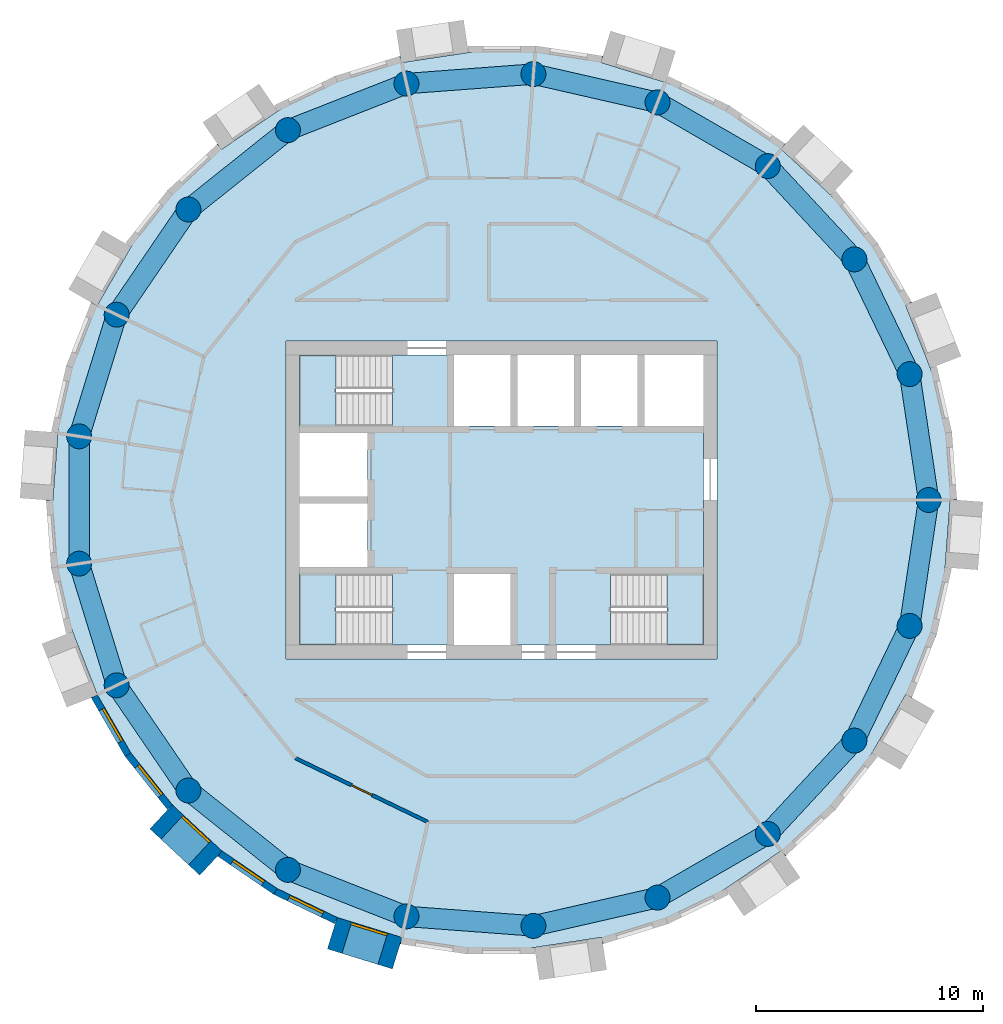
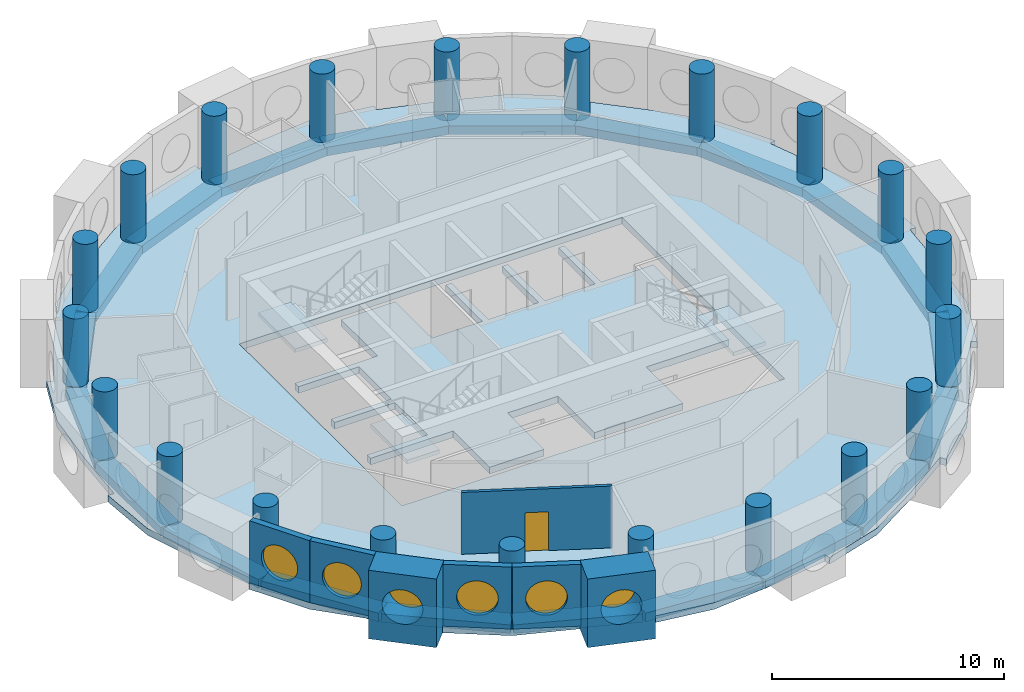
# One storey, part 1 of 12: 21 beams, 21 columns, 7 walls, 6 windows, 5 slabs, 1 door, 7 openings, 3 elements without a shape of their own.
"""IFC4 building model written with IfcOpenShell, lengths in metres."""

from ifc_helpers import new_model, si_unit, direction, frame, frame_2d, origin, origin_2d, place, context, subcontext, project, spatial, polyline, rectangle, circle, outline, extrude, material, layer, layer_set, material_profile, profile_set, type_object, element, fill, aggregate, save


model = new_model("IFC4")

# Units and contexts
model_context = context("Model", 3, precision=1e-05, world=origin(), true_north=direction((0.0, 1.0)))
body_context = subcontext(model_context, "Body", "Model", "MODEL_VIEW")
ifc_project = project(units=[si_unit("LENGTHUNIT", "METRE"), si_unit("AREAUNIT", "SQUARE_METRE"), si_unit("VOLUMEUNIT", "CUBIC_METRE"), si_unit("PLANEANGLEUNIT", "RADIAN"), si_unit("MASSUNIT", "GRAM", prefix="KILO")], contexts=[model_context])

# Site, building, storey
site_placement = place(None, origin())
site = spatial("IfcSite", under=ifc_project, at=site_placement, CompositionType="ELEMENT")
building_placement = place(site_placement, origin())
building = spatial("IfcBuilding", under=site, at=building_placement, Name="Tracery Tower", CompositionType="ELEMENT")
storey_placement = place(building_placement, frame((0.0, 0.0, 241.800048828125)))
storey = spatial("IfcBuildingStorey", under=building, at=storey_placement, Name="L62", CompositionType="ELEMENT", Elevation=241.800048828125)

# Columns
ifc_material_1 = material(Name="Concrete C40/50", Category="concrete")
ifc_material_profile_1 = material_profile(ifc_material_1, circle(Radius=0.550048828125, at=origin_2d()), Name="RC D1100")
ifc_profile_set_1 = profile_set([ifc_material_profile_1], Name="Concrete C40/50")
column_type = type_object("IfcColumnType", Name="Ring 2 column 1100", PredefinedType="COLUMN", material=ifc_profile_set_1)
for number, where, z_axis, x_axis, name in (
    (1, (18.822265625, 0.0, 0.0), (0.0, 0.0, 1.0), (1.0, 0.0, 0.0), "Ring 2 column 00 at L62"),
    (2, (17.986083984375, 5.5478515625, 0.0), (0.0, 0.0, 1.0), (1.0, 0.0, 0.0), "Ring 2 column 01 at L62"),
    (3, (15.551513671875, 10.602783203125, 0.0), (0.0, 0.0, 1.0), (1.0, 0.0, 0.0), "Ring 2 column 02 at L62"),
    (4, (11.7353515625, 14.7158203125, 0.0), (0.0, 0.0, 1.0), (1.0, 0.0, 0.0), "Ring 2 column 03 at L62"),
    (5, (6.87646484375, 17.52099609375, 0.0), (0.0, 0.0, 1.0), (1.0, 0.0, 0.0), "Ring 2 column 04 at L62"),
    (6, (1.406494140625, 18.76953125, 0.0), (0.0, 0.0, 1.0), (1.0, 0.0, 0.0), "Ring 2 column 05 at L62"),
    (7, (-4.188232421875, 18.350341796875, 0.0), (0.0, 0.0, 1.0), (1.0, 0.0, 0.0), "Ring 2 column 06 at L62"),
    (8, (-9.4111328125, 16.300537109375, 0.0), (0.0, 0.0, 1.0), (1.0, 0.0, 0.0), "Ring 2 column 07 at L62"),
    (9, (-13.797607421875, 12.802490234375, 0.0), (0.0, 0.0, 1.0), (1.0, 0.0, 0.0), "Ring 2 column 08 at L62"),
    (10, (-16.958251953125, 8.16650390625, 0.0), (0.0, 0.0, 1.0), (1.0, 0.0, 0.0), "Ring 2 column 09 at L62"),
    (11, (-18.612060546875, 2.805419921875, 0.0), (0.0, 0.0, 1.0), (1.0, 0.0, 0.0), "Ring 2 column 10 at L62"),
    (12, (-18.612060546875, -2.805419921875, 0.0), (0.0, 0.0, 1.0), (1.0, 0.0, 0.0), "Ring 2 column 11 at L62"),
    (13, (-16.958251953125, -8.166748046875, 0.0), (0.0, 0.0, 1.0), (1.0, 0.0, 0.0), "Ring 2 column 12 at L62"),
    (14, (-13.797607421875, -12.80224609375, 0.0), (0.0, 0.0, 1.0), (1.0, 0.0, 0.0), "Ring 2 column 13 at L62"),
    (15, (-9.4111328125, -16.300537109375, 0.0), (0.0, 0.0, 1.0), (1.0, 0.0, 0.0), "Ring 2 column 14 at L62"),
    (16, (-4.188232421875, -18.350341796875, 0.0), (0.0, 0.0, 1.0), (1.0, 0.0, 0.0), "Ring 2 column 15 at L62"),
    (17, (1.406494140625, -18.76953125, 0.0), (0.0, 0.0, 1.0), (1.0, 0.0, 0.0), "Ring 2 column 16 at L62"),
    (18, (6.87646484375, -17.52099609375, 0.0), (0.0, 0.0, 1.0), (1.0, 0.0, 0.0), "Ring 2 column 17 at L62"),
    (19, (11.7353515625, -14.7158203125, 0.0), (0.0, 0.0, 1.0), (1.0, 0.0, 0.0), "Ring 2 column 18 at L62"),
    (20, (15.551513671875, -10.602783203125, 0.0), (0.0, 0.0, 1.0), (1.0, 0.0, 0.0), "Ring 2 column 19 at L62"),
    (21, (17.986083984375, -5.5478515625, 0.0), (0.0, 0.0, 1.0), (1.0, 0.0, 0.0), "Ring 2 column 20 at L62"),
):
    element("IfcColumn", number, at=place(storey_placement, frame(where, z_axis=z_axis, x_axis=x_axis)), inside=storey, type_object=column_type, Name=name, PredefinedType="COLUMN", context=body_context, shape_type="SweptSolid", body=[
        extrude(circle(Radius=0.550048828125, at=origin_2d()), origin(), (0.0, 0.0, 1.0), 3.599853515625),
    ])

# Beams
ifc_material_2 = material(Name="Concrete C40/50", Category="concrete")
ifc_material_profile_2 = material_profile(ifc_material_2, rectangle(XDim=0.89990234375, YDim=0.449951171875, at=origin_2d()), Name="RC 900x450")
ifc_profile_set_2 = profile_set([ifc_material_profile_2], Name="Concrete C40/50")
beam_type = type_object("IfcBeamType", Name="Perimeter band beam 900x450", PredefinedType="BEAM", material=ifc_profile_set_2)
for number, where, z_axis, x_axis, name in (
    (22, (18.822265625, 0.0, -0.574951171875), (-0.149038355855, 0.988831415603, 0.0), (-0.988831415603, -0.149038355855, 0.0), "Perimeter beam 2.00 under L62"),
    (23, (17.986083984375, 5.5478515625, -0.574951171875), (-0.433918973155, 0.900951899235, 0.0), (-0.900951899235, -0.433918973155, 0.0), "Perimeter beam 2.01 under L62"),
):
    element("IfcBeam", number, at=place(storey_placement, frame(where, z_axis=z_axis, x_axis=x_axis)), inside=storey, type_object=beam_type, Name=name, PredefinedType="BEAM", context=body_context, shape_type="SweptSolid", body=[
        extrude(rectangle(XDim=0.89990234375, YDim=0.449951171875, at=origin_2d()), origin(), (0.0, 0.0, 1.0), 5.610595703125),
    ])
beam_1_placement = place(storey_placement, frame((15.551513671875, 10.602783203125, -0.574951171875), z_axis=(-0.680155630824, 0.733067744386, 0.0), x_axis=(-0.733067744386, -0.680155630824, 0.0)))
element("IfcBeam", 24, at=beam_1_placement, inside=storey, type_object=beam_type, Name="Perimeter beam 2.02 under L62", PredefinedType="BEAM", context=body_context, shape_type="SweptSolid", body=[
    extrude(rectangle(XDim=0.89990234375, YDim=0.449951171875, at=origin_2d()), origin(), (0.0, 0.0, 1.0), 5.61083984375),
])
for number, where, z_axis, x_axis, name in (
    (25, (11.7353515625, 14.7158203125, -0.574951171875), (-0.866033412818, 0.49998612769, 0.0), (-0.49998612769, -0.866033412818, 0.0), "Perimeter beam 2.03 under L62"),
    (26, (6.87646484375, 17.52099609375, -0.574951171875), (-0.974925977366, 0.222529410768, 0.0), (-0.222529410768, -0.974925977366, 0.0), "Perimeter beam 2.04 under L62"),
):
    element("IfcBeam", number, at=place(storey_placement, frame(where, z_axis=z_axis, x_axis=x_axis)), inside=storey, type_object=beam_type, Name=name, PredefinedType="BEAM", context=body_context, shape_type="SweptSolid", body=[
        extrude(rectangle(XDim=0.89990234375, YDim=0.449951171875, at=origin_2d()), origin(), (0.0, 0.0, 1.0), 5.610595703125),
    ])
beam_2_placement = place(storey_placement, frame((1.406494140625, 18.76953125, -0.574951171875), z_axis=(-0.997204824387, -0.07471638521, 0.0), x_axis=(0.07471638521, -0.997204824387, 0.0)))
element("IfcBeam", 27, at=beam_2_placement, inside=storey, type_object=beam_type, Name="Perimeter beam 2.05 under L62", PredefinedType="BEAM", context=body_context, shape_type="SweptSolid", body=[
    extrude(rectangle(XDim=0.89990234375, YDim=0.449951171875, at=origin_2d()), origin(), (0.0, 0.0, 1.0), 5.6103515625),
])
beam_3_placement = place(storey_placement, frame((-4.188232421875, 18.350341796875, -0.574951171875), z_axis=(-0.930875728468, -0.365335979817, 0.0), x_axis=(0.365335979817, -0.930875728468, 0.0)))
element("IfcBeam", 28, at=beam_3_placement, inside=storey, type_object=beam_type, Name="Perimeter beam 2.06 under L62", PredefinedType="BEAM", context=body_context, shape_type="SweptSolid", body=[
    extrude(rectangle(XDim=0.89990234375, YDim=0.449951171875, at=origin_2d()), origin(), (0.0, 0.0, 1.0), 5.61083984375),
])
beam_4_placement = place(storey_placement, frame((-9.4111328125, 16.300537109375, -0.574951171875), z_axis=(-0.781835817725, -0.623484365579, 0.0), x_axis=(0.623484365579, -0.781835817725, 0.0)))
element("IfcBeam", 29, at=beam_4_placement, inside=storey, type_object=beam_type, Name="Perimeter beam 2.07 under L62", PredefinedType="BEAM", context=body_context, shape_type="SweptSolid", body=[
    extrude(rectangle(XDim=0.89990234375, YDim=0.449951171875, at=origin_2d()), origin(), (0.0, 0.0, 1.0), 5.610595703125),
])
beam_5_placement = place(storey_placement, frame((-13.797607421875, 12.802490234375, -0.574951171875), z_axis=(-0.563305770578, -0.826248515178, 0.0), x_axis=(0.826248515178, -0.563305770578, 0.0)))
element("IfcBeam", 30, at=beam_5_placement, inside=storey, type_object=beam_type, Name="Perimeter beam 2.08 under L62", PredefinedType="BEAM", context=body_context, shape_type="SweptSolid", body=[
    extrude(rectangle(XDim=0.89990234375, YDim=0.449951171875, at=origin_2d()), origin(), (0.0, 0.0, 1.0), 5.61083984375),
])
beam_6_placement = place(storey_placement, frame((-16.958251953125, 8.16650390625, -0.574951171875), z_axis=(-0.294776851839, -0.955566118916, 0.0), x_axis=(0.955566118916, -0.294776851839, 0.0)))
element("IfcBeam", 31, at=beam_6_placement, inside=storey, type_object=beam_type, Name="Perimeter beam 2.09 under L62", PredefinedType="BEAM", context=body_context, shape_type="SweptSolid", body=[
    extrude(rectangle(XDim=0.89990234375, YDim=0.449951171875, at=origin_2d()), origin(), (0.0, 0.0, 1.0), 5.6103515625),
])
beam_7_placement = place(storey_placement, frame((-18.612060546875, 2.805419921875, -0.574951171875), z_axis=(0.0, -1.0, 0.0), x_axis=(1.0, 0.0, 0.0)))
element("IfcBeam", 32, at=beam_7_placement, inside=storey, type_object=beam_type, Name="Perimeter beam 2.10 under L62", PredefinedType="BEAM", context=body_context, shape_type="SweptSolid", body=[
    extrude(rectangle(XDim=0.89990234375, YDim=0.449951171875, at=origin_2d()), origin(), (0.0, 0.0, 1.0), 5.61083984375),
])
for number, where, z_axis, x_axis, name in (
    (33, (-18.612060546875, -2.805419921875, -0.574951171875), (0.294764594813, -0.955569899926, 0.0), (0.955569899926, 0.294764594813, 0.0), "Perimeter beam 2.11 under L62"),
    (34, (-16.958251953125, -8.166748046875, -0.574951171875), (0.5633462764, -0.826220898348, 0.0), (0.826220898348, 0.5633462764, 0.0), "Perimeter beam 2.12 under L62"),
    (35, (-13.797607421875, -12.80224609375, -0.574951171875), (0.781814605872, -0.623510963853, 0.0), (0.623510963853, 0.781814605872, 0.0), "Perimeter beam 2.13 under L62"),
):
    element("IfcBeam", number, at=place(storey_placement, frame(where, z_axis=z_axis, x_axis=x_axis)), inside=storey, type_object=beam_type, Name=name, PredefinedType="BEAM", context=body_context, shape_type="SweptSolid", body=[
        extrude(rectangle(XDim=0.89990234375, YDim=0.449951171875, at=origin_2d()), origin(), (0.0, 0.0, 1.0), 5.610595703125),
    ])
beam_8_placement = place(storey_placement, frame((-9.4111328125, -16.300537109375, -0.574951171875), z_axis=(0.930875728468, -0.365335979817, 0.0), x_axis=(0.365335979817, 0.930875728468, 0.0)))
element("IfcBeam", 36, at=beam_8_placement, inside=storey, type_object=beam_type, Name="Perimeter beam 2.14 under L62", PredefinedType="BEAM", context=body_context, shape_type="SweptSolid", body=[
    extrude(rectangle(XDim=0.89990234375, YDim=0.449951171875, at=origin_2d()), origin(), (0.0, 0.0, 1.0), 5.61083984375),
])
beam_9_placement = place(storey_placement, frame((-4.188232421875, -18.350341796875, -0.574951171875), z_axis=(0.997204824387, -0.07471638521, 0.0), x_axis=(0.07471638521, 0.997204824387, 0.0)))
element("IfcBeam", 37, at=beam_9_placement, inside=storey, type_object=beam_type, Name="Perimeter beam 2.15 under L62", PredefinedType="BEAM", context=body_context, shape_type="SweptSolid", body=[
    extrude(rectangle(XDim=0.89990234375, YDim=0.449951171875, at=origin_2d()), origin(), (0.0, 0.0, 1.0), 5.6103515625),
])
for number, where, z_axis, x_axis, name in (
    (38, (1.406494140625, -18.76953125, -0.574951171875), (0.974925977366, 0.222529410768, 0.0), (-0.222529410768, 0.974925977366, 0.0), "Perimeter beam 2.16 under L62"),
    (39, (6.87646484375, -17.52099609375, -0.574951171875), (0.866033412818, 0.49998612769, 0.0), (-0.49998612769, 0.866033412818, 0.0), "Perimeter beam 2.17 under L62"),
):
    element("IfcBeam", number, at=place(storey_placement, frame(where, z_axis=z_axis, x_axis=x_axis)), inside=storey, type_object=beam_type, Name=name, PredefinedType="BEAM", context=body_context, shape_type="SweptSolid", body=[
        extrude(rectangle(XDim=0.89990234375, YDim=0.449951171875, at=origin_2d()), origin(), (0.0, 0.0, 1.0), 5.610595703125),
    ])
beam_10_placement = place(storey_placement, frame((11.7353515625, -14.7158203125, -0.574951171875), z_axis=(0.680155630824, 0.733067744386, 0.0), x_axis=(-0.733067744386, 0.680155630824, 0.0)))
element("IfcBeam", 40, at=beam_10_placement, inside=storey, type_object=beam_type, Name="Perimeter beam 2.18 under L62", PredefinedType="BEAM", context=body_context, shape_type="SweptSolid", body=[
    extrude(rectangle(XDim=0.89990234375, YDim=0.449951171875, at=origin_2d()), origin(), (0.0, 0.0, 1.0), 5.61083984375),
])
for number, where, z_axis, x_axis, name in (
    (41, (15.551513671875, -10.602783203125, -0.574951171875), (0.433918973155, 0.900951899235, 0.0), (-0.900951899235, 0.433918973155, 0.0), "Perimeter beam 2.19 under L62"),
    (42, (17.986083984375, -5.5478515625, -0.574951171875), (0.149038355855, 0.988831415603, 0.0), (-0.988831415603, 0.149038355855, 0.0), "Perimeter beam 2.20 under L62"),
):
    element("IfcBeam", number, at=place(storey_placement, frame(where, z_axis=z_axis, x_axis=x_axis)), inside=storey, type_object=beam_type, Name=name, PredefinedType="BEAM", context=body_context, shape_type="SweptSolid", body=[
        extrude(rectangle(XDim=0.89990234375, YDim=0.449951171875, at=origin_2d()), origin(), (0.0, 0.0, 1.0), 5.610595703125),
    ])

# Slabs
ifc_material_3 = material(Name="Concrete C40/50", Category="concrete")
ifc_layer_1 = layer(ifc_material_3, 0.35009765625)
ifc_layer_set_1 = layer_set([ifc_layer_1], Name="Core floor slab 350 C40")
slab_type_1 = type_object("IfcSlabType", Name="Core floor slab 350 C40", PredefinedType="FLOOR", material=ifc_layer_set_1)
slab_1_placement = place(storey_placement, frame((0.0, 0.0, -0.35009765625)))
element("IfcSlab", 43, at=slab_1_placement, inside=storey, type_object=slab_type_1, Name="L62 core floor 1", PredefinedType="FLOOR", context=body_context, shape_type="SweptSolid", body=[
    extrude(outline(polyline([(-4.800537109375, -3.25), (-8.89990234375, -3.25), (-8.89990234375, -2.949951171875), (-5.89990234375, -2.949951171875), (-5.89990234375, -0.14990234375), (-8.89990234375, -0.14990234375), (-8.89990234375, 0.14990234375), (-5.89990234375, 0.14990234375), (-5.89990234375, 2.949951171875), (-8.89990234375, 2.949951171875), (-8.89990234375, 3.25), (-4.800537109375, 3.25), (-4.800537109375, 6.39990234375), (-2.10009765625, 6.39990234375), (-2.10009765625, 3.25), (0.39990234375, 3.25), (0.39990234375, 6.39990234375), (0.699951171875, 6.39990234375), (0.699951171875, 3.25), (3.199951171875, 3.25), (3.199951171875, 6.39990234375), (3.5, 6.39990234375), (3.5, 3.25), (6.0, 3.25), (6.0, 6.39990234375), (6.300048828125, 6.39990234375), (6.300048828125, 3.25), (8.89990234375, 3.25), (8.89990234375, -3.25), (4.800537109375, -3.25), (4.800537109375, -6.39990234375), (0.39990234375, -6.39990234375), (0.39990234375, -3.25), (-2.10009765625, -3.25), (-2.10009765625, -6.39990234375), (-4.800537109375, -6.39990234375), (-4.800537109375, -3.25)])), origin(), (0.0, 0.0, 1.0), 0.35009765625),
])
ifc_material_4 = material(Name="Concrete C40/50", Category="concrete")
ifc_layer_2 = layer(ifc_material_4, 0.35009765625)
ifc_layer_set_2 = layer_set([ifc_layer_2], Name="Floor slab 350")
slab_type_2 = type_object("IfcSlabType", Name="Floor slab 350", PredefinedType="FLOOR", material=ifc_layer_set_2)
slab_2_placement = place(storey_placement, frame((0.0, 0.0, -0.35009765625)))
element("IfcSlab", 44, at=slab_2_placement, inside=storey, type_object=slab_type_2, Name="Floor slab L62", PredefinedType="FLOOR", context=body_context, shape_type="SweptSolid", body=[
    extrude(outline(polyline([(18.89306640625, 5.827392578125), (17.80517578125, 8.599365234375), (18.084228515625, 8.708984375), (18.08447265625, 8.708984375), (16.58447265625, 11.30712890625), (14.493408203125, 13.447998046875), (12.3271484375, 15.4580078125), (12.3271484375, 15.4580078125), (12.310791015625, 15.47314453125), (12.5146484375, 15.69287109375), (12.514892578125, 15.693115234375), (10.0361328125, 17.383056640625), (7.223388671875, 18.404541015625), (4.3994140625, 19.275634765625), (4.3994140625, 19.275634765625), (4.378173828125, 19.2822265625), (4.466552734375, 19.56884765625), (1.5, 20.01611328125), (-1.47705078125, 19.716064453125), (-2.3466796875, 19.585205078125), (-4.3994140625, 19.275634765625), (-4.3994140625, 19.275634765625), (-4.421875, 19.272216796875), (-4.46630859375, 19.568603515625), (-4.466552734375, 19.56884765625), (-7.333251953125, 18.684814453125), (-9.885498046875, 17.12255859375), (-12.345703125, 15.4453125), (-12.514892578125, 15.693115234375), (-14.714111328125, 13.652587890625), (-16.335693359375, 11.13818359375), (-17.82470703125, 8.55908203125), (-18.08447265625, 8.708984375), (-19.180419921875, 5.91650390625), (-19.550537109375, 2.94677734375), (-19.63720703125, 1.789306640625), (-19.77294921875, -0.0224609375), (-20.072265625, 0.0), (-20.072265625, 0.0), (-19.847900390625, -2.99169921875), (-18.89306640625, -5.827392578125), (-17.80517578125, -8.599365234375), (-18.084228515625, -8.708984375), (-18.08447265625, -8.708984375), (-16.58447265625, -11.30712890625), (-14.493408203125, -13.447998046875), (-12.3271484375, -15.4580078125), (-12.3271484375, -15.4580078125), (-12.310791015625, -15.47314453125), (-12.5146484375, -15.69287109375), (-12.514892578125, -15.693115234375), (-10.0361328125, -17.383056640625), (-7.223388671875, -18.404541015625), (-4.3994140625, -19.275634765625), (-4.3994140625, -19.275634765625), (-4.378173828125, -19.2822265625), (-4.466552734375, -19.56884765625), (-1.5, -20.01611328125), (1.47705078125, -19.716064453125), (2.3466796875, -19.585205078125), (4.3994140625, -19.275634765625), (4.3994140625, -19.275634765625), (4.421875, -19.272216796875), (4.46630859375, -19.568603515625), (4.466552734375, -19.56884765625), (7.333251953125, -18.684814453125), (9.885498046875, -17.12255859375), (12.345703125, -15.4453125), (12.514892578125, -15.693115234375), (14.714111328125, -13.652587890625), (16.335693359375, -11.13818359375), (17.82470703125, -8.55908203125), (18.08447265625, -8.708984375), (19.180419921875, -5.91650390625), (19.550537109375, -2.94677734375), (19.63720703125, -1.789306640625), (19.77294921875, 0.0224609375), (20.072265625, 0.0), (19.847900390625, 2.99169921875), (18.89306640625, 5.827392578125)]), holes=[polyline([(-9.5, -7.0), (9.5, -7.0), (9.5, 7.0), (-9.5, 7.0), (-9.5, -7.0)])]), origin(), (0.0, 0.0, 1.0), 0.35009765625),
])

# Stair, slab
ifc_material_5 = material(Name="Concrete C32/40", Category="concrete")
stair_type = type_object("IfcStairType", Name="Core stair 22 risers", PredefinedType="HALF_TURN_STAIR", material=ifc_material_5)
stair_1_placement = place(storey_placement, origin())
stair_1 = element("IfcStair", 45, at=stair_1_placement, inside=storey, type_object=stair_type, Name="L62 stair ST1", PredefinedType="HALF_TURN_STAIR")
ifc_material_6 = material(Name="Concrete C32/40", Category="concrete")
ifc_layer_3 = layer(ifc_material_6, 0.199951171875)
ifc_layer_set_3 = layer_set([ifc_layer_3], Name="Stair landing slab 200")
slab_type_3 = type_object("IfcSlabType", Name="Stair landing slab 200", PredefinedType="LANDING", material=ifc_layer_set_3)
slab_3_placement = place(storey_placement, frame((0.0, 0.0, 1.599853515625)))
slab_3 = element("IfcSlab", 46, at=slab_3_placement, type_object=slab_type_3, Name="ST1 landing 1", PredefinedType="LANDING", context=body_context, shape_type="SweptSolid", body=[
    extrude(outline(polyline([(-7.29931640625, -3.25), (-8.89990234375, -3.25), (-8.89990234375, -6.39990234375), (-7.29931640625, -6.39990234375), (-7.29931640625, -3.25)])), origin(), (0.0, 0.0, 1.0), 0.2001953125),
])
aggregate(stair_1, [slab_3])

stair_2_placement = place(storey_placement, origin())
stair_2 = element("IfcStair", 47, at=stair_2_placement, inside=storey, type_object=stair_type, Name="L62 stair ST3", PredefinedType="HALF_TURN_STAIR")
slab_4_placement = place(storey_placement, frame((0.0, 0.0, 1.599853515625)))
slab_4 = element("IfcSlab", 48, at=slab_4_placement, type_object=slab_type_3, Name="ST3 landing 1", PredefinedType="LANDING", context=body_context, shape_type="SweptSolid", body=[
    extrude(outline(polyline([(-7.29931640625, 6.39990234375), (-8.89990234375, 6.39990234375), (-8.89990234375, 3.25), (-7.29931640625, 3.25), (-7.29931640625, 6.39990234375)])), origin(), (0.0, 0.0, 1.0), 0.2001953125),
])
aggregate(stair_2, [slab_4])

stair_3_placement = place(storey_placement, origin())
stair_3 = element("IfcStair", 49, at=stair_3_placement, inside=storey, type_object=stair_type, Name="L62 stair ST2", PredefinedType="HALF_TURN_STAIR")
slab_5_placement = place(storey_placement, frame((0.0, 0.0, 1.599853515625)))
slab_5 = element("IfcSlab", 50, at=slab_5_placement, type_object=slab_type_3, Name="ST2 landing 1", PredefinedType="LANDING", context=body_context, shape_type="SweptSolid", body=[
    extrude(outline(polyline([(7.29931640625, -6.39990234375), (8.89990234375, -6.39990234375), (8.89990234375, -3.25), (7.29931640625, -3.25), (7.29931640625, -6.39990234375)])), origin(), (0.0, 0.0, 1.0), 0.2001953125),
])
aggregate(stair_3, [slab_5])

# Wall, opening, window
ifc_material_7 = material(Name="Precast concrete C50/60", Category="concrete")
ifc_layer_4 = layer(ifc_material_7, 1.449951171875)
ifc_layer_set_4 = layer_set([ifc_layer_4], Name="Deep-set bay unit 3000 x 3600, slab edge 350")
wall_type_1 = type_object("IfcWallType", Name="Deep-set bay unit 3000 x 3600, slab edge 350", PredefinedType="ELEMENTEDWALL", material=ifc_layer_set_4)
wall_1_placement = place(storey_placement, frame((-15.0029296875, -13.964111328125, -0.35009765625), z_axis=(0.0, 0.0, 1.0), x_axis=(0.733022439167, -0.680204457261, 0.0)))
wall_1 = element("IfcWall", 51, at=wall_1_placement, inside=storey, type_object=wall_type_1, Name="Deep-set bay unit 27 at L62", PredefinedType="ELEMENTEDWALL", context=body_context, shape_type="SweptSolid", body=[
    extrude(rectangle(XDim=2.999755859375, YDim=1.449951171875, at=frame_2d((1.5, 0.0))), origin(), (0.0, 0.0, 1.0), 3.60009765625),
])
opening_1_placement = place(wall_1_placement, frame((1.5, 0.0, 1.89990234375)))
opening_1 = element("IfcOpeningElement", 52, at=opening_1_placement, cuts=wall_1, Name="Opening WN1", PredefinedType="OPENING", context=body_context, shape_type="SweptSolid", body=[
    extrude(circle(Radius=0.9000244140625, at=origin_2d()), frame((0.0, 0.73486328125, 0.0), z_axis=(0.0, -1.0, 0.0), x_axis=(1.0, 0.0, 0.0)), (0.0, 0.0, 1.0), 1.469970703125),
])
ifc_material_8 = material(Name="Aluminium frame with tinted double glazing", Category="aluminium")
window_type = type_object("IfcWindowType", Name="Round window 1800", PartitioningType="SINGLE_PANEL", PredefinedType="WINDOW", material=ifc_material_8)
window_1_placement = place(opening_1_placement, origin())
window_1 = element("IfcWindow", 53, at=window_1_placement, inside=storey, type_object=window_type, Name="Round window 27 at L62", OverallHeight=1.800048828125, OverallWidth=1.800048828125, PartitioningType="SINGLE_PANEL", PredefinedType="WINDOW", context=body_context, shape_type="SweptSolid", body=[
    extrude(circle(Radius=0.9000244140625, at=origin_2d()), frame((0.0, 0.69482421875, 0.0), z_axis=(0.0, -1.0, 0.0), x_axis=(1.0, 0.0, 0.0)), (0.0, 0.0, 1.0), 0.10009765625),
])
fill(opening_1, window_1)

wall_2_placement = place(storey_placement, frame((-7.45849609375, -19.0908203125, -0.35009765625), z_axis=(0.0, 0.0, 1.0), x_axis=(0.955571139978, -0.294760574774, 0.0)))
wall_2 = element("IfcWall", 54, at=wall_2_placement, inside=storey, type_object=wall_type_1, Name="Deep-set bay unit 30 at L62", PredefinedType="ELEMENTEDWALL", context=body_context, shape_type="SweptSolid", body=[
    extrude(rectangle(XDim=3.0, YDim=1.449951171875, at=frame_2d((1.5, 0.0))), origin(), (0.0, 0.0, 1.0), 3.60009765625),
])
opening_2_placement = place(wall_2_placement, frame((1.5, 0.0, 1.89990234375)))
opening_2 = element("IfcOpeningElement", 55, at=opening_2_placement, cuts=wall_2, Name="Opening WN1", PredefinedType="OPENING", context=body_context, shape_type="SweptSolid", body=[
    extrude(circle(Radius=0.9000244140625, at=origin_2d()), frame((0.0, 0.73486328125, 0.0), z_axis=(0.0, -1.0, 0.0), x_axis=(1.0, 0.0, 0.0)), (0.0, 0.0, 1.0), 1.469970703125),
])
window_2_placement = place(opening_2_placement, origin())
window_2 = element("IfcWindow", 56, at=window_2_placement, inside=storey, type_object=window_type, Name="Round window 30 at L62", OverallHeight=1.800048828125, OverallWidth=1.800048828125, PartitioningType="SINGLE_PANEL", PredefinedType="WINDOW", context=body_context, shape_type="SweptSolid", body=[
    extrude(circle(Radius=0.9000244140625, at=origin_2d()), frame((0.0, 0.69482421875, 0.0), z_axis=(0.0, -1.0, 0.0), x_axis=(1.0, 0.0, 0.0)), (0.0, 0.0, 1.0), 0.10009765625),
])
fill(opening_2, window_2)

ifc_material_9 = material(Name="Precast concrete C50/60", Category="concrete")
ifc_layer_5 = layer(ifc_material_9, 0.300048828125)
ifc_layer_set_5 = layer_set([ifc_layer_5], Name="Facade panel 3000 x 3250")
wall_type_2 = type_object("IfcWallType", Name="Facade panel 3000 x 3250", PredefinedType="SOLIDWALL", material=ifc_layer_set_5)
wall_3_placement = place(storey_placement, frame((-17.941162109375, -8.656982421875, 0.0), z_axis=(0.0, 0.0, 1.0), x_axis=(0.499950756475, -0.86605383268, 0.0)))
wall_3 = element("IfcWall", 57, at=wall_3_placement, inside=storey, type_object=wall_type_2, Name="Facade panel 25 at L62", PredefinedType="SOLIDWALL", context=body_context, shape_type="SweptSolid", body=[
    extrude(rectangle(XDim=2.962158203125, YDim=0.300048828125, at=frame_2d((1.48095703125, 0.0))), origin(), (0.0, 0.0, 1.0), 3.25),
])
opening_3_placement = place(wall_3_placement, frame((1.48095703125, 0.0, 1.5498046875)))
opening_3 = element("IfcOpeningElement", 58, at=opening_3_placement, cuts=wall_3, Name="Opening WN1", PredefinedType="OPENING", context=body_context, shape_type="SweptSolid", body=[
    extrude(circle(Radius=0.9000244140625, at=origin_2d()), frame((0.0, 0.159912109375, 0.0), z_axis=(0.0, -1.0, 0.0), x_axis=(1.0, 0.0, 0.0)), (0.0, 0.0, 1.0), 0.320068359375),
])
window_3_placement = place(opening_3_placement, origin())
window_3 = element("IfcWindow", 59, at=window_3_placement, inside=storey, type_object=window_type, Name="Round window 25 at L62", OverallHeight=1.800048828125, OverallWidth=1.800048828125, PartitioningType="SINGLE_PANEL", PredefinedType="WINDOW", context=body_context, shape_type="SweptSolid", body=[
    extrude(circle(Radius=0.9000244140625, at=origin_2d()), frame((0.0, 0.1201171875, 0.0), z_axis=(0.0, -1.0, 0.0), x_axis=(1.0, 0.0, 0.0)), (0.0, 0.0, 1.0), 0.10009765625),
])
fill(opening_3, window_3)

wall_4_placement = place(storey_placement, frame((-16.460205078125, -11.222412109375, 0.0), z_axis=(0.0, 0.0, 1.0), x_axis=(0.623498236992, -0.781824755599, 0.0)))
wall_4 = element("IfcWall", 60, at=wall_4_placement, inside=storey, type_object=wall_type_2, Name="Facade panel 26 at L62", PredefinedType="SOLIDWALL", context=body_context, shape_type="SweptSolid", body=[
    extrude(rectangle(XDim=2.962158203125, YDim=0.300048828125, at=frame_2d((1.48095703125, 0.0))), origin(), (0.0, 0.0, 1.0), 3.25),
])
opening_4_placement = place(wall_4_placement, frame((1.48095703125, 0.0, 1.5498046875)))
opening_4 = element("IfcOpeningElement", 61, at=opening_4_placement, cuts=wall_4, Name="Opening WN1", PredefinedType="OPENING", context=body_context, shape_type="SweptSolid", body=[
    extrude(circle(Radius=0.9000244140625, at=origin_2d()), frame((0.0, 0.159912109375, 0.0), z_axis=(0.0, -1.0, 0.0), x_axis=(1.0, 0.0, 0.0)), (0.0, 0.0, 1.0), 0.320068359375),
])
window_4_placement = place(opening_4_placement, origin())
window_4 = element("IfcWindow", 62, at=window_4_placement, inside=storey, type_object=window_type, Name="Round window 26 at L62", OverallHeight=1.800048828125, OverallWidth=1.800048828125, PartitioningType="SINGLE_PANEL", PredefinedType="WINDOW", context=body_context, shape_type="SweptSolid", body=[
    extrude(circle(Radius=0.9000244140625, at=origin_2d()), frame((0.0, 0.1201171875, 0.0), z_axis=(0.0, -1.0, 0.0), x_axis=(1.0, 0.0, 0.0)), (0.0, 0.0, 1.0), 0.10009765625),
])
fill(opening_4, window_4)

wall_5_placement = place(storey_placement, frame((-12.408447265625, -15.583984375, 0.0), z_axis=(0.0, 0.0, 1.0), x_axis=(0.826236061068, -0.563324037646, 0.0)))
wall_5 = element("IfcWall", 63, at=wall_5_placement, inside=storey, type_object=wall_type_2, Name="Facade panel 28 at L62", PredefinedType="SOLIDWALL", context=body_context, shape_type="SweptSolid", body=[
    extrude(rectangle(XDim=2.962158203125, YDim=0.300048828125, at=frame_2d((1.48095703125, 0.0))), origin(), (0.0, 0.0, 1.0), 3.25),
])
opening_5_placement = place(wall_5_placement, frame((1.48095703125, 0.0, 1.5498046875)))
opening_5 = element("IfcOpeningElement", 64, at=opening_5_placement, cuts=wall_5, Name="Opening WN1", PredefinedType="OPENING", context=body_context, shape_type="SweptSolid", body=[
    extrude(circle(Radius=0.9000244140625, at=origin_2d()), frame((0.0, 0.159912109375, 0.0), z_axis=(0.0, -1.0, 0.0), x_axis=(1.0, 0.0, 0.0)), (0.0, 0.0, 1.0), 0.320068359375),
])
window_5_placement = place(opening_5_placement, origin())
window_5 = element("IfcWindow", 65, at=window_5_placement, inside=storey, type_object=window_type, Name="Round window 28 at L62", OverallHeight=1.800048828125, OverallWidth=1.800048828125, PartitioningType="SINGLE_PANEL", PredefinedType="WINDOW", context=body_context, shape_type="SweptSolid", body=[
    extrude(circle(Radius=0.9000244140625, at=origin_2d()), frame((0.0, 0.1201171875, 0.0), z_axis=(0.0, -1.0, 0.0), x_axis=(1.0, 0.0, 0.0)), (0.0, 0.0, 1.0), 0.10009765625),
])
fill(opening_5, window_5)

wall_6_placement = place(storey_placement, frame((-9.9609375, -17.252685546875, 0.0), z_axis=(0.0, 0.0, 1.0), x_axis=(0.90095513435, -0.433912255978, 0.0)))
wall_6 = element("IfcWall", 66, at=wall_6_placement, inside=storey, type_object=wall_type_2, Name="Facade panel 29 at L62", PredefinedType="SOLIDWALL", context=body_context, shape_type="SweptSolid", body=[
    extrude(rectangle(XDim=2.96240234375, YDim=0.300048828125, at=frame_2d((1.481201171875, 0.0))), origin(), (0.0, 0.0, 1.0), 3.25),
])
opening_6_placement = place(wall_6_placement, frame((1.48095703125, 0.0, 1.5498046875)))
opening_6 = element("IfcOpeningElement", 67, at=opening_6_placement, cuts=wall_6, Name="Opening WN1", PredefinedType="OPENING", context=body_context, shape_type="SweptSolid", body=[
    extrude(circle(Radius=0.9000244140625, at=origin_2d()), frame((0.0, 0.159912109375, 0.0), z_axis=(0.0, -1.0, 0.0), x_axis=(1.0, 0.0, 0.0)), (0.0, 0.0, 1.0), 0.320068359375),
])
window_6_placement = place(opening_6_placement, origin())
window_6 = element("IfcWindow", 68, at=window_6_placement, inside=storey, type_object=window_type, Name="Round window 29 at L62", OverallHeight=1.800048828125, OverallWidth=1.800048828125, PartitioningType="SINGLE_PANEL", PredefinedType="WINDOW", context=body_context, shape_type="SweptSolid", body=[
    extrude(circle(Radius=0.9000244140625, at=origin_2d()), frame((0.0, 0.1201171875, 0.0), z_axis=(0.0, -1.0, 0.0), x_axis=(1.0, 0.0, 0.0)), (0.0, 0.0, 1.0), 0.10009765625),
])
fill(opening_6, window_6)

# Wall, opening, door
ifc_material_10 = material(Name="Plasterboard on steel studs", Category="steel")
ifc_layer_6 = layer(ifc_material_10, 0.14990234375)
ifc_layer_set_6 = layer_set([ifc_layer_6], Name="Partition 150 corridor wall")
wall_type_3 = type_object("IfcWallType", Name="Partition 150 corridor wall", PredefinedType="PARTITIONING", material=ifc_layer_set_6)
wall_7_placement = place(storey_placement, frame((-9.075927734375, -11.381103515625, 0.0), z_axis=(0.0, 0.0, 1.0), x_axis=(0.900976027191, -0.433868872388, 0.0)))
wall_7 = element("IfcWall", 69, at=wall_7_placement, inside=storey, type_object=wall_type_3, Name="Corridor wall RC2-039", PredefinedType="PARTITIONING", context=body_context, shape_type="SweptSolid", body=[
    extrude(rectangle(XDim=6.478515625, YDim=0.14990234375, at=frame_2d((3.2392578125, 0.0))), origin(), (0.0, 0.0, 1.0), 3.25),
])
opening_7_placement = place(wall_7_placement, frame((2.739501953125, 0.0, 0.0)))
opening_7 = element("IfcOpeningElement", 70, at=opening_7_placement, cuts=wall_7, Name="Opening RC2-18", PredefinedType="OPENING", context=body_context, shape_type="SweptSolid", body=[
    extrude(rectangle(XDim=1.0, YDim=2.0400390625, at=frame_2d((0.5, 1.02001953125))), frame((0.0, 0.074951171875, 0.0), z_axis=(0.0, -1.0, 0.0), x_axis=(1.0, 0.0, 0.0)), (0.0, 0.0, 1.0), 0.14990234375),
])
ifc_material_11 = material(Name="Timber door leaf", Category="wood")
door_type = type_object("IfcDoorType", Name="Door communal room 1000", OperationType="NOTDEFINED", PredefinedType="DOOR", material=ifc_material_11)
door_placement = place(opening_7_placement, origin())
door = element("IfcDoor", 71, at=door_placement, inside=storey, type_object=door_type, Name="Communal room door RC2-18", OperationType="SINGLE_SWING_LEFT", OverallHeight=2.0400390625, OverallWidth=1.0, PredefinedType="DOOR", context=body_context, shape_type="SweptSolid", body=[
    extrude(rectangle(XDim=1.0, YDim=2.0400390625, at=frame_2d((0.5, 1.02001953125))), frame((0.0, 0.02490234375, 0.0), z_axis=(0.0, -1.0, 0.0), x_axis=(1.0, 0.0, 0.0)), (0.0, 0.0, 1.0), 0.050048828125),
])
fill(opening_7, door)

save(model, "model.ifc")
